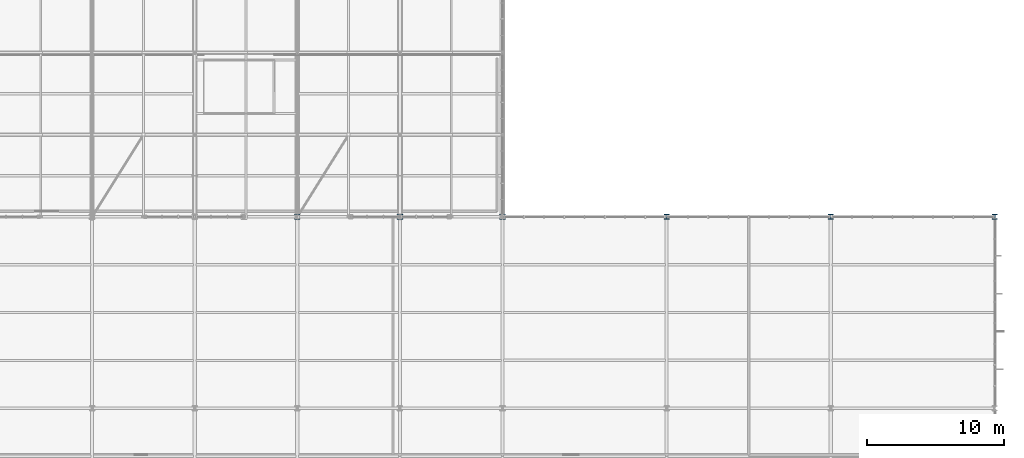
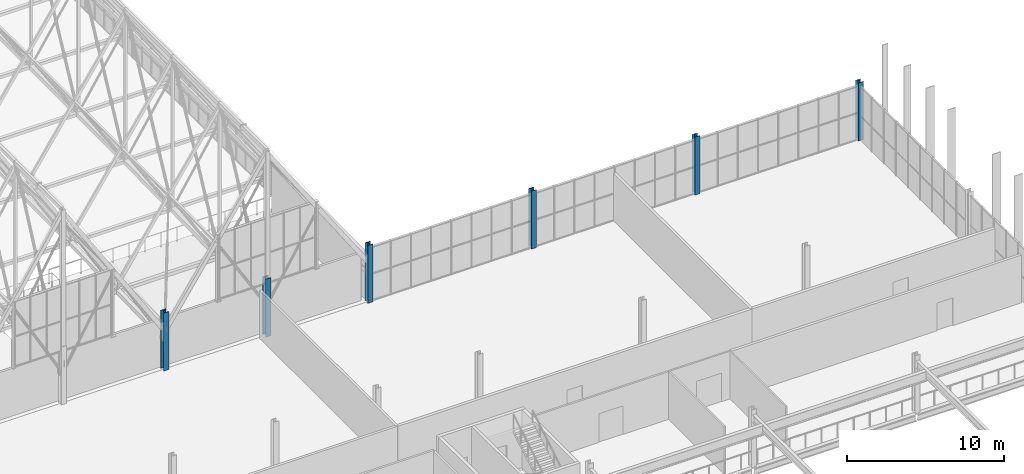
# One storey, part 14 of 324: 6 columns.
"""IFC4 building model written with IfcOpenShell, lengths in metres."""

from ifc_helpers import new_model, si_unit, direction, frame, origin, origin_2d, place, context, subcontext, project, spatial, i_section, extrude, material, material_profile, profile_set, type_object, element, save


model = new_model("IFC4")

# Units and contexts
model_context = context("Model", 3, precision=1e-05, world=origin(), true_north=direction((0.0, 1.0)))
body_context = subcontext(model_context, "Body", "Model", "MODEL_VIEW")
ifc_project = project(units=[si_unit("LENGTHUNIT", "METRE"), si_unit("AREAUNIT", "SQUARE_METRE"), si_unit("VOLUMEUNIT", "CUBIC_METRE"), si_unit("PLANEANGLEUNIT", "RADIAN"), si_unit("MASSUNIT", "GRAM", prefix="KILO")], contexts=[model_context])

# Site, building, storey
site_placement = place(None, origin())
site = spatial("IfcSite", under=ifc_project, at=site_placement, CompositionType="ELEMENT")
building_placement = place(site_placement, origin())
building = spatial("IfcBuilding", under=site, at=building_placement, Name="Solvenia Promenade Tram Depot", CompositionType="ELEMENT")
storey_placement = place(building_placement, frame((0.0, 0.0, 4.5)))
storey = spatial("IfcBuildingStorey", under=building, at=storey_placement, Name="L01", CompositionType="ELEMENT", Elevation=4.5)

# Columns
ifc_material = material(Name="Structural steel ASTM A992 Gr. 50", Category="steel")
ifc_material_profile_1 = material_profile(ifc_material, i_section(OverallWidth=0.373046875, OverallDepth=0.367919921875, WebThickness=0.014892578125, FlangeThickness=0.02392578125, FilletRadius=0.014892578125, at=origin_2d()), Name="W360x179", Category="steel")
ifc_profile_set_1 = profile_set([ifc_material_profile_1], Name="Structural steel ASTM A992 Gr. 50")
column_type_1 = type_object("IfcColumnType", Name="Col-W360x179", PredefinedType="COLUMN", material=ifc_profile_set_1)
for number, where, z_axis, x_axis, name in (
    (1, (162.0, 66.0, 0.0), (0.0, 0.0, 1.0), (1.0, 0.0, 0.0), "Steel Column COL-L01-339"),
    (2, (174.0, 66.0, 0.0), (0.0, 0.0, 1.0), (1.0, 0.0, 0.0), "Steel Column COL-L01-355"),
    (3, (186.0, 66.0, 0.0), (0.0, 0.0, 1.0), (1.0, 0.0, 0.0), "Steel Column COL-L01-370"),
):
    element("IfcColumn", number, at=place(storey_placement, frame(where, z_axis=z_axis, x_axis=x_axis)), inside=storey, type_object=column_type_1, Name=name, PredefinedType="COLUMN", context=body_context, shape_type="SweptSolid", body=[
        extrude(i_section(OverallWidth=0.373046875, OverallDepth=0.367919921875, WebThickness=0.014892578125, FlangeThickness=0.02392578125, FilletRadius=0.014892578125, at=origin_2d()), origin(), (0.0, 0.0, 1.0), 4.5),
    ])
ifc_material_profile_2 = material_profile(ifc_material, i_section(OverallWidth=0.39404296875, OverallDepth=0.375, WebThickness=0.0205078125, FlangeThickness=0.033203125, FilletRadius=0.01806640625, at=origin_2d()), Name="W360x216", Category="steel")
ifc_profile_set_2 = profile_set([ifc_material_profile_2], Name="Structural steel ASTM A992 Gr. 50")
column_type_2 = type_object("IfcColumnType", Name="Col-W360x216", PredefinedType="COLUMN", material=ifc_profile_set_2)
for number, where, z_axis, x_axis, name in (
    (4, (135.0, 66.0, 0.0), (0.0, 0.0, 1.0), (1.0, 0.0, 0.0), "Steel Column COL-L01-276"),
    (5, (142.5, 66.0, 0.0), (0.0, 0.0, 1.0), (1.0, 0.0, 0.0), "Steel Column COL-L01-297"),
    (6, (150.0, 66.0, 0.0), (0.0, 0.0, 1.0), (1.0, 0.0, 0.0), "Steel Column COL-L01-318"),
):
    element("IfcColumn", number, at=place(storey_placement, frame(where, z_axis=z_axis, x_axis=x_axis)), inside=storey, type_object=column_type_2, Name=name, PredefinedType="COLUMN", context=body_context, shape_type="SweptSolid", body=[
        extrude(i_section(OverallWidth=0.39404296875, OverallDepth=0.375, WebThickness=0.0205078125, FlangeThickness=0.033203125, FilletRadius=0.01806640625, at=origin_2d()), origin(), (0.0, 0.0, 1.0), 4.5),
    ])

save(model, "model.ifc")
